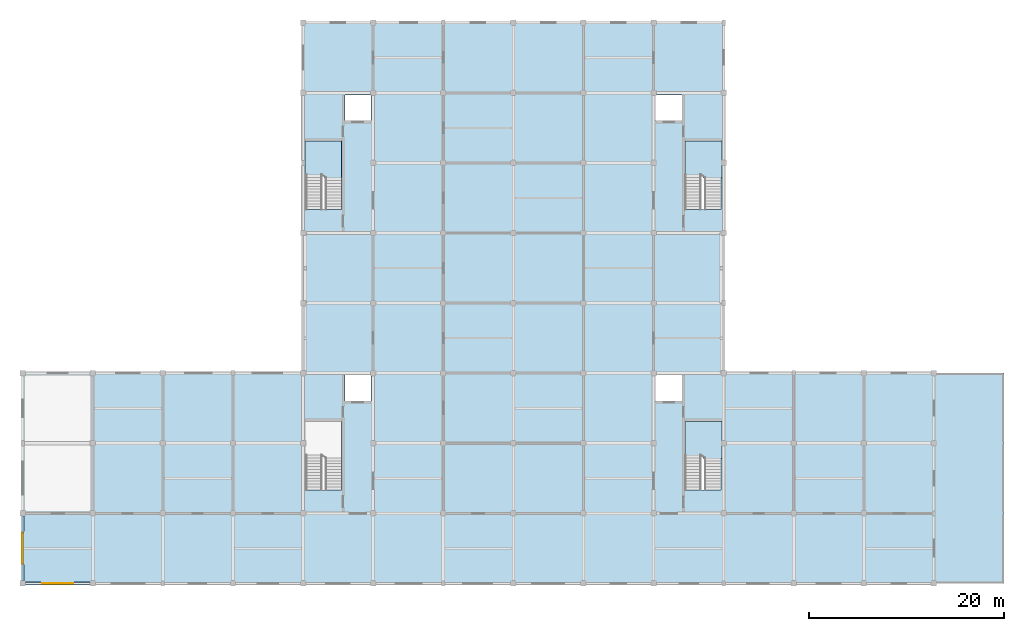
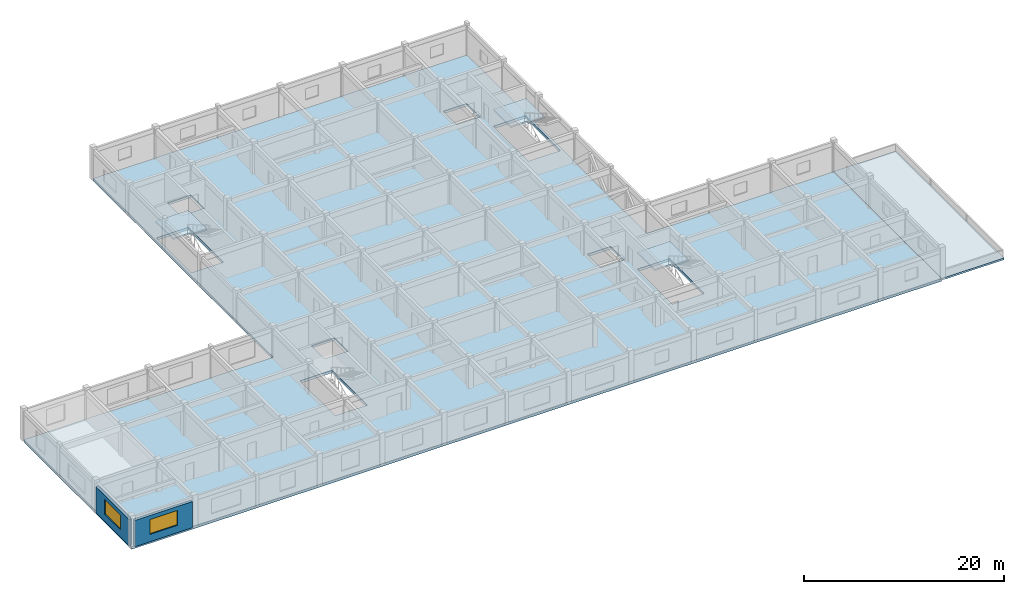
# One storey, part 4 of 10: 5 slabs, 2 walls, 2 windows, 2 openings, 3 elements without a shape of their own.
"""IFC4 building model written with IfcOpenShell, lengths in metres."""

import ifcopenshell
import ifcopenshell.guid

model = None  # the IFC model being written
_history = None  # IfcOwnerHistory: only IFC2X3 demands one
_inside = {}  # id of a spatial element -> (the spatial element, [elements in it])
_under = {}  # id of a project, library or spatial element -> (it, [spatial elements below it])
_declared = {}  # id of a project -> (the project, [libraries it declares])
_typed = {}  # id of a type object -> (the type object, [elements of that type])
_made_of = {}  # id of a material, layer set ... -> (it, [elements and type objects made of it])


def new_model(schema):
    """Start an empty IFC model of exactly this schema.

    Asked for "IFC4X3", IfcOpenShell would pick the latest addendum, in which some entities
    have other attributes; the version numbers below select the first issue.
    IFC2X3 requires an IfcOwnerHistory on every rooted entity: one is made here for all.
    """
    global model, _history
    if schema == "IFC4X3":
        model = ifcopenshell.file(schema_version=(4, 3, 0, 0))
    else:
        model = ifcopenshell.file(schema=schema)
    _inside.clear()
    _under.clear()
    _declared.clear()
    _typed.clear()
    _made_of.clear()
    _history = None
    if model.schema == "IFC2X3":
        org = make("IfcOrganization", Name="unknown")
        user = make(
            "IfcPersonAndOrganization",
            ThePerson=make("IfcPerson", FamilyName="unknown"),
            TheOrganization=org,
        )
        app = make(
            "IfcApplication",
            ApplicationDeveloper=org,
            Version="unknown",
            ApplicationFullName="unknown",
            ApplicationIdentifier="unknown",
        )
        _history = make(
            "IfcOwnerHistory",
            OwningUser=user,
            OwningApplication=app,
            ChangeAction="ADDED",
            CreationDate=0,
        )
    return model


def make(cls, **values):
    """One entity of the class cls with the attributes given. An attribute that is None is left unset."""
    return model.create_entity(
        cls, **{name: value for name, value in values.items() if value is not None}
    )


def rooted(cls, **values):
    """An entity with a GlobalId (a new one), such as an element, a storey or a relation."""
    return make(cls, GlobalId=ifcopenshell.guid.new(), OwnerHistory=_history, **values)


def si_unit(unit_type, name, prefix=None):
    """IfcSIUnit, for example si_unit("LENGTHUNIT", "METRE", prefix="MILLI")."""
    return make("IfcSIUnit", UnitType=unit_type, Prefix=prefix, Name=name)


def assignment(units):
    """IfcUnitAssignment: the units of a project."""
    return None if units is None else make("IfcUnitAssignment", Units=units)


def point(xyz):
    """IfcCartesianPoint."""
    return None if xyz is None else make("IfcCartesianPoint", Coordinates=xyz)


def direction(xyz):
    """IfcDirection."""
    return None if xyz is None else make("IfcDirection", DirectionRatios=xyz)


def frame(location, z_axis=None, x_axis=None):
    """IfcAxis2Placement3D, a coordinate frame: its origin and axes. An axis left out is left unset."""
    return make(
        "IfcAxis2Placement3D",
        Location=point(location),
        Axis=direction(z_axis),
        RefDirection=direction(x_axis),
    )


def frame_2d(location, x_axis=None):
    """IfcAxis2Placement2D, a coordinate frame in the plane: its origin and x axis."""
    return make(
        "IfcAxis2Placement2D", Location=point(location), RefDirection=direction(x_axis)
    )


def origin():
    """The frame at (0, 0, 0) with its axes left unset."""
    return frame((0.0, 0.0, 0.0))


def place(relative_to, where):
    """IfcLocalPlacement: puts the frame where relative to a parent placement (None: the world)."""
    return make(
        "IfcLocalPlacement", PlacementRelTo=relative_to, RelativePlacement=where
    )


def context(
    kind, dimensions, precision=None, world=None, true_north=None, identifier=None
):
    """IfcGeometricRepresentationContext, for example the 3D "Model" context."""
    return make(
        "IfcGeometricRepresentationContext",
        ContextIdentifier=identifier,
        ContextType=kind,
        CoordinateSpaceDimension=dimensions,
        Precision=precision,
        WorldCoordinateSystem=world,
        TrueNorth=true_north,
    )


def subcontext(parent, identifier, kind, view, scale=None):
    """IfcGeometricRepresentationSubContext, for example "Body" below "Model"."""
    return make(
        "IfcGeometricRepresentationSubContext",
        ContextIdentifier=identifier,
        ContextType=kind,
        ParentContext=parent,
        TargetScale=scale,
        TargetView=view,
    )


def project(units=None, contexts=None):
    """IfcProject with its units and contexts."""
    return rooted(
        "IfcProject",
        Name="project",
        RepresentationContexts=contexts,
        UnitsInContext=assignment(units),
    )


def spatial(cls, under=None, at=None, **own):
    """A site, building, storey or space (cls), placed at a placement, below another one or the project."""
    s = rooted(cls, ObjectPlacement=at, **own)
    if under is not None:
        _under.setdefault(under.id(), (under, []))[1].append(s)
    return s


def polyline(points):
    """IfcPolyline through the points."""
    return make("IfcPolyline", Points=[point(p) for p in points])


def profile(cls, at=None, kind="AREA", **sizes):
    """A parametric profile (cls). Its sizes go by their IFC names, for example OverallWidth=200.0."""
    return make(cls, ProfileType=kind, Position=at, **sizes)


def rectangle(**sizes):
    """IfcRectangleProfileDef."""
    return profile("IfcRectangleProfileDef", **sizes)


def outline(outer, holes=None, kind="AREA"):
    """IfcArbitraryClosedProfileDef: a profile drawn as a closed curve; with holes, ...WithVoids."""
    if holes is None:
        return make("IfcArbitraryClosedProfileDef", ProfileType=kind, OuterCurve=outer)
    return make(
        "IfcArbitraryProfileDefWithVoids",
        ProfileType=kind,
        OuterCurve=outer,
        InnerCurves=holes,
    )


def extrude(swept, where, along, depth):
    """IfcExtrudedAreaSolid: the profile swept, set in the frame where, extruded along a direction by depth."""
    return make(
        "IfcExtrudedAreaSolid",
        SweptArea=swept,
        Position=where,
        ExtrudedDirection=direction(along),
        Depth=depth,
    )


def shape(context_of_items, identifier, shape_type, items):
    """IfcShapeRepresentation: the items that make up one representation, for example the "Body"."""
    return make(
        "IfcShapeRepresentation",
        ContextOfItems=context_of_items,
        RepresentationIdentifier=identifier,
        RepresentationType=shape_type,
        Items=items,
    )


def material(Name=None, Category=None):
    """IfcMaterial."""
    return make("IfcMaterial", Name=Name, Category=Category)


def layer(
    of_material, thickness, ventilated=None, Name=None, Category=None, Priority=None
):
    """IfcMaterialLayer: one layer of a wall or slab, of a material (None: an air gap)."""
    return make(
        "IfcMaterialLayer",
        Material=of_material,
        LayerThickness=thickness,
        IsVentilated=ventilated,
        Name=Name,
        Category=Category,
        Priority=Priority,
    )


def layer_set(layers, Name=None):
    """IfcMaterialLayerSet."""
    return make("IfcMaterialLayerSet", MaterialLayers=layers, LayerSetName=Name)


def made_of(thing, what):
    """Note that an element or type object is made of a material, layer set ...; save() writes the relation."""
    if what is not None:
        _made_of.setdefault(what.id(), (what, []))[1].append(thing)
    return thing


def type_object(cls, material=None, **own):
    """A type object (cls), such as IfcWallType, which elements share."""
    return made_of(rooted(cls, **own), material)


def element(
    cls,
    number,
    at=None,
    inside=None,
    cuts=None,
    type_object=None,
    material=None,
    context=None,
    identifier="Body",
    shape_type=None,
    held_by="IfcProductDefinitionShape",
    body=None,
    shapes=None,
    **own,
):
    """One element of the class cls, such as IfcWall. Its Tag is "e" and its number.

    at: its placement. inside: the storey or other place that contains it. cuts: it is an
    opening in that element (IfcRelVoidsElement). A single representation is given by context,
    identifier, shape_type and body (its items); several are given by shapes. held_by: the class
    of the entity that holds the representations. save() writes the other relations.
    """
    e = rooted(cls, Tag="e%d" % number, ObjectPlacement=at, **own)
    if body is not None:
        shapes = [shape(context, identifier, shape_type, body)]
    if shapes is not None:
        e.Representation = make(held_by, Representations=shapes)
    if inside is not None:
        _inside.setdefault(inside.id(), (inside, []))[1].append(e)
    if cuts is not None:
        rooted(
            "IfcRelVoidsElement", RelatingBuildingElement=cuts, RelatedOpeningElement=e
        )
    if type_object is not None:
        _typed.setdefault(type_object.id(), (type_object, []))[1].append(e)
    return made_of(e, material)


def fill(opening, filler):
    """IfcRelFillsElement: the door or window that sits in an opening."""
    return rooted(
        "IfcRelFillsElement",
        RelatingOpeningElement=opening,
        RelatedBuildingElement=filler,
    )


def aggregate(whole, parts):
    """IfcRelAggregates: a whole, such as a stair, and the parts it consists of."""
    return rooted("IfcRelAggregates", RelatingObject=whole, RelatedObjects=parts)


def save(model, path):
    """Write the relations noted so far, then the file.

    IfcRelAggregates (storeys below a building ...), IfcRelContainedInSpatialStructure (elements
    in a storey), IfcRelDefinesByType, IfcRelAssociatesMaterial and IfcRelDeclares: one each for
    every whole, place, type object, material and project.
    """
    for whole, parts in _under.values():
        aggregate(whole, parts)
    for where, things in _inside.values():
        rooted(
            "IfcRelContainedInSpatialStructure",
            RelatedElements=things,
            RelatingStructure=where,
        )
    for kind, things in _typed.values():
        rooted("IfcRelDefinesByType", RelatedObjects=things, RelatingType=kind)
    for what, things in _made_of.values():
        rooted("IfcRelAssociatesMaterial", RelatedObjects=things, RelatingMaterial=what)
    for by, libraries in _declared.values():
        rooted("IfcRelDeclares", RelatingContext=by, RelatedDefinitions=libraries)
    model.write(path)


model = new_model("IFC4")

# Units and contexts
model_context = context("Model", 3, precision=1e-05, world=origin(), true_north=direction((0.0, 1.0)))
body_context = subcontext(model_context, "Body", "Model", "MODEL_VIEW")
ifc_project = project(units=[si_unit("LENGTHUNIT", "METRE"), si_unit("AREAUNIT", "SQUARE_METRE"), si_unit("VOLUMEUNIT", "CUBIC_METRE"), si_unit("PLANEANGLEUNIT", "RADIAN"), si_unit("MASSUNIT", "GRAM", prefix="KILO")], contexts=[model_context])

# Site, building, storey
site_placement = place(None, origin())
site = spatial("IfcSite", under=ifc_project, at=site_placement, CompositionType="ELEMENT")
building_placement = place(site_placement, origin())
building = spatial("IfcBuilding", under=site, at=building_placement, Name="Cendaluz Park School", CompositionType="ELEMENT")
storey_placement = place(building_placement, frame((0.0, 0.0, 34.800048828125)))
storey = spatial("IfcBuildingStorey", under=building, at=storey_placement, Name="L08", CompositionType="ELEMENT", Elevation=34.800048828125)

# Slab
ifc_material_1 = material(Name="Concrete C40/50", Category="concrete")
ifc_layer_1 = layer(ifc_material_1, 0.320068359375)
ifc_layer_set_1 = layer_set([ifc_layer_1], Name="Concrete C40/50")
slab_type_1 = type_object("IfcSlabType", Name="SL-FL-320", PredefinedType="FLOOR", material=ifc_layer_set_1)
slab_1_placement = place(storey_placement, frame((0.0, 0.0, -0.320068359375)))
element("IfcSlab", 1, at=slab_1_placement, inside=storey, type_object=slab_type_1, Name="SL-L08-01", PredefinedType="FLOOR", context=body_context, shape_type="SweptSolid", body=[
    extrude(outline(polyline([(64.800048828125, 28.800048828125), (64.800048828125, 64.800048828125), (108.0, 64.800048828125), (108.0, 28.800048828125), (129.60009765625, 28.800048828125), (129.60009765625, 7.199951171875), (36.0, 7.199951171875), (36.0, 28.800048828125), (64.800048828125, 28.800048828125)]), holes=[polyline([(68.77001953125, 16.820068359375), (68.77001953125, 23.840087890625), (65.080078125, 23.840087890625), (65.080078125, 16.820068359375), (68.77001953125, 16.820068359375)]), polyline([(69.10009765625, 25.93994140625), (71.800048828125, 25.93994140625), (71.800048828125, 28.60009765625), (69.10009765625, 28.60009765625), (69.10009765625, 25.93994140625)]), polyline([(104.030029296875, 23.840087890625), (104.030029296875, 16.820068359375), (107.719970703125, 16.820068359375), (107.719970703125, 23.840087890625), (104.030029296875, 23.840087890625)]), polyline([(103.699951171875, 28.60009765625), (101.0, 28.60009765625), (101.0, 25.93994140625), (103.699951171875, 25.93994140625), (103.699951171875, 28.60009765625)]), polyline([(68.77001953125, 45.6201171875), (68.77001953125, 52.639892578125), (65.080078125, 52.639892578125), (65.080078125, 45.6201171875), (68.77001953125, 45.6201171875)]), polyline([(69.10009765625, 54.739990234375), (71.800048828125, 54.739990234375), (71.800048828125, 57.39990234375), (69.10009765625, 57.39990234375), (69.10009765625, 54.739990234375)]), polyline([(104.030029296875, 52.639892578125), (104.030029296875, 45.6201171875), (107.719970703125, 45.6201171875), (107.719970703125, 52.639892578125), (104.030029296875, 52.639892578125)]), polyline([(103.699951171875, 57.39990234375), (101.0, 57.39990234375), (101.0, 54.739990234375), (103.699951171875, 54.739990234375), (103.699951171875, 57.39990234375)])]), origin(), (0.0, 0.0, 1.0), 0.320068359375),
])

# Stair, slab
ifc_material_2 = material(Name="Cross-laminated timber CLT C24", Category="wood")
stair_type = type_object("IfcStairType", Name="ST-400-165", PredefinedType="HALF_TURN_STAIR", material=ifc_material_2)
stair_1_placement = place(storey_placement, origin())
stair_1 = element("IfcStair", 2, at=stair_1_placement, inside=storey, type_object=stair_type, Name="ST-L08-C2", PredefinedType="HALF_TURN_STAIR")
ifc_layer_2 = layer(ifc_material_2, 0.179931640625)
ifc_layer_set_2 = layer_set([ifc_layer_2], Name="Cross-laminated timber CLT C24")
slab_type_2 = type_object("IfcSlabType", Name="SL-LD-180", PredefinedType="LANDING", material=ifc_layer_set_2)
slab_2_placement = place(storey_placement, frame((0.0, 0.0, 1.89990234375)))
slab_2 = element("IfcSlab", 3, at=slab_2_placement, type_object=slab_type_2, Name="SL-LD-L08-C2", PredefinedType="LANDING", context=body_context, shape_type="SweptSolid", body=[
    extrude(outline(polyline([(104.030029296875, 20.360107421875), (105.875, 20.360107421875), (105.875, 20.06005859375), (107.81005859375, 20.06005859375), (107.81005859375, 23.860107421875), (104.030029296875, 23.860107421875), (104.030029296875, 20.360107421875)])), origin(), (0.0, 0.0, 1.0), 0.179931640625),
])
aggregate(stair_1, [slab_2])

stair_2_placement = place(storey_placement, origin())
stair_2 = element("IfcStair", 4, at=stair_2_placement, inside=storey, type_object=stair_type, Name="ST-L08-C3", PredefinedType="HALF_TURN_STAIR")
slab_3_placement = place(storey_placement, frame((0.0, 0.0, 1.89990234375)))
slab_3 = element("IfcSlab", 5, at=slab_3_placement, type_object=slab_type_2, Name="SL-LD-L08-C3", PredefinedType="LANDING", context=body_context, shape_type="SweptSolid", body=[
    extrude(outline(polyline([(64.989990234375, 49.159912109375), (66.925048828125, 49.159912109375), (66.925048828125, 48.860107421875), (68.77001953125, 48.860107421875), (68.77001953125, 52.659912109375), (64.989990234375, 52.659912109375), (64.989990234375, 49.159912109375)])), origin(), (0.0, 0.0, 1.0), 0.179931640625),
])
aggregate(stair_2, [slab_3])

stair_3_placement = place(storey_placement, origin())
stair_3 = element("IfcStair", 6, at=stair_3_placement, inside=storey, type_object=stair_type, Name="ST-L08-C4", PredefinedType="HALF_TURN_STAIR")
slab_4_placement = place(storey_placement, frame((0.0, 0.0, 1.89990234375)))
slab_4 = element("IfcSlab", 7, at=slab_4_placement, type_object=slab_type_2, Name="SL-LD-L08-C4", PredefinedType="LANDING", context=body_context, shape_type="SweptSolid", body=[
    extrude(outline(polyline([(104.030029296875, 49.159912109375), (105.875, 49.159912109375), (105.875, 48.860107421875), (107.81005859375, 48.860107421875), (107.81005859375, 52.659912109375), (104.030029296875, 52.659912109375), (104.030029296875, 49.159912109375)])), origin(), (0.0, 0.0, 1.0), 0.179931640625),
])
aggregate(stair_3, [slab_4])

# Slab
ifc_layer_3 = layer(ifc_material_1, 0.219970703125)
ifc_layer_set_3 = layer_set([ifc_layer_3], Name="Concrete C40/50")
slab_type_3 = type_object("IfcSlabType", Name="SL-RF-220-RC", PredefinedType="ROOF", material=ifc_layer_set_3)
slab_5_placement = place(storey_placement, frame((0.0, 0.0, -0.219970703125)))
element("IfcSlab", 8, at=slab_5_placement, inside=storey, type_object=slab_type_3, Name="SL-RF-L07-04", PredefinedType="ROOF", context=body_context, shape_type="SweptSolid", body=[
    extrude(outline(polyline([(136.800048828125, 7.199951171875), (129.60009765625, 7.199951171875), (129.60009765625, 28.800048828125), (136.800048828125, 28.800048828125), (136.800048828125, 7.199951171875)])), origin(), (0.0, 0.0, 1.0), 0.219970703125),
])

# Wall, opening, window
ifc_layer_4 = layer(ifc_material_2, 0.300048828125)
ifc_layer_set_4 = layer_set([ifc_layer_4], Name="Cross-laminated timber CLT C24")
wall_type = type_object("IfcWallType", Name="W-EX30", PredefinedType="SOLIDWALL", material=ifc_layer_set_4)
wall_1_placement = place(storey_placement, frame((36.280029296875, 7.199951171875, 0.0), z_axis=(0.0, 0.0, 1.0), x_axis=(1.0, 0.0, 0.0)))
wall_1 = element("IfcWall", 9, at=wall_1_placement, inside=storey, type_object=wall_type, Name="WL-FI-AA0", PredefinedType="SOLIDWALL", context=body_context, shape_type="SweptSolid", body=[
    extrude(rectangle(XDim=6.639892578125, YDim=0.300048828125, at=frame_2d((3.31982421875, 0.0))), origin(), (0.0, 0.0, 1.0), 3.18994140625),
])
opening_1_placement = place(wall_1_placement, frame((1.719970703125, 0.0, 0.89990234375)))
opening_1 = element("IfcOpeningElement", 10, at=opening_1_placement, cuts=wall_1, Name="Opening WN-08", PredefinedType="OPENING", context=body_context, shape_type="SweptSolid", body=[
    extrude(rectangle(XDim=3.199951171875, YDim=1.800048828125, at=frame_2d((1.60009765625, 0.89990234375))), frame((0.0, 0.162109375, 0.0), z_axis=(0.0, -1.0, 0.0), x_axis=(1.0, 0.0, 0.0)), (0.0, 0.0, 1.0), 0.323974609375),
])
ifc_material_3 = material(Name="Tempered Low-E Double Glazing", Category="glass")
window_type = type_object("IfcWindowType", Name="WN-08", PartitioningType="SINGLE_PANEL", PredefinedType="WINDOW", material=ifc_material_3)
window_1_placement = place(opening_1_placement, origin())
window_1 = element("IfcWindow", 11, at=window_1_placement, inside=storey, type_object=window_type, Name="WN-L08-001", OverallHeight=1.800048828125, OverallWidth=3.199951171875, PartitioningType="SINGLE_PANEL", PredefinedType="WINDOW", context=body_context, shape_type="SweptSolid", body=[
    extrude(rectangle(XDim=3.199951171875, YDim=1.800048828125, at=frame_2d((1.60009765625, 0.89990234375))), frame((0.0, 0.030029296875, 0.0), z_axis=(0.0, -1.0, 0.0), x_axis=(1.0, 0.0, 0.0)), (0.0, 0.0, 1.0), 0.06005859375),
])
fill(opening_1, window_1)

wall_2_placement = place(storey_placement, frame((36.0, 7.47998046875, 0.0), z_axis=(0.0, 0.0, 1.0), x_axis=(0.0, 1.0, 0.0)))
wall_2 = element("IfcWall", 12, at=wall_2_placement, inside=storey, type_object=wall_type, Name="WL-FI-AA1", PredefinedType="SOLIDWALL", context=body_context, shape_type="SweptSolid", body=[
    extrude(rectangle(XDim=6.64013671875, YDim=0.300048828125, at=frame_2d((3.320068359375, 0.0))), origin(), (0.0, 0.0, 1.0), 3.18994140625),
])
opening_2_placement = place(wall_2_placement, frame((1.719970703125, 0.0, 0.89990234375)))
opening_2 = element("IfcOpeningElement", 13, at=opening_2_placement, cuts=wall_2, Name="Opening WN-08", PredefinedType="OPENING", context=body_context, shape_type="SweptSolid", body=[
    extrude(rectangle(XDim=3.199951171875, YDim=1.800048828125, at=frame_2d((1.60009765625, 0.89990234375))), frame((0.0, 0.162109375, 0.0), z_axis=(0.0, -1.0, 0.0), x_axis=(1.0, 0.0, 0.0)), (0.0, 0.0, 1.0), 0.323974609375),
])
window_2_placement = place(opening_2_placement, origin())
window_2 = element("IfcWindow", 14, at=window_2_placement, inside=storey, type_object=window_type, Name="WN-L08-002", OverallHeight=1.800048828125, OverallWidth=3.199951171875, PartitioningType="SINGLE_PANEL", PredefinedType="WINDOW", context=body_context, shape_type="SweptSolid", body=[
    extrude(rectangle(XDim=3.199951171875, YDim=1.800048828125, at=frame_2d((1.60009765625, 0.89990234375))), frame((0.0, 0.030029296875, 0.0), z_axis=(0.0, -1.0, 0.0), x_axis=(1.0, 0.0, 0.0)), (0.0, 0.0, 1.0), 0.06005859375),
])
fill(opening_2, window_2)

save(model, "model.ifc")
